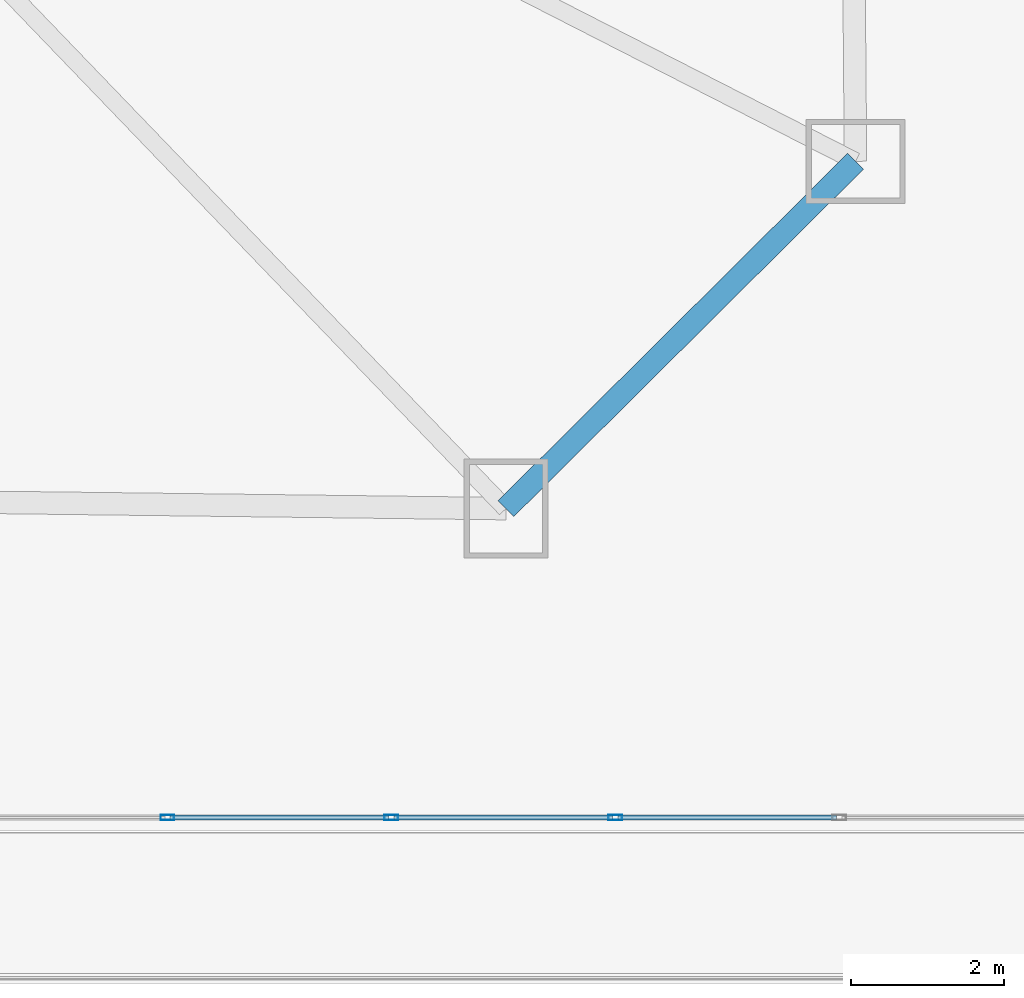
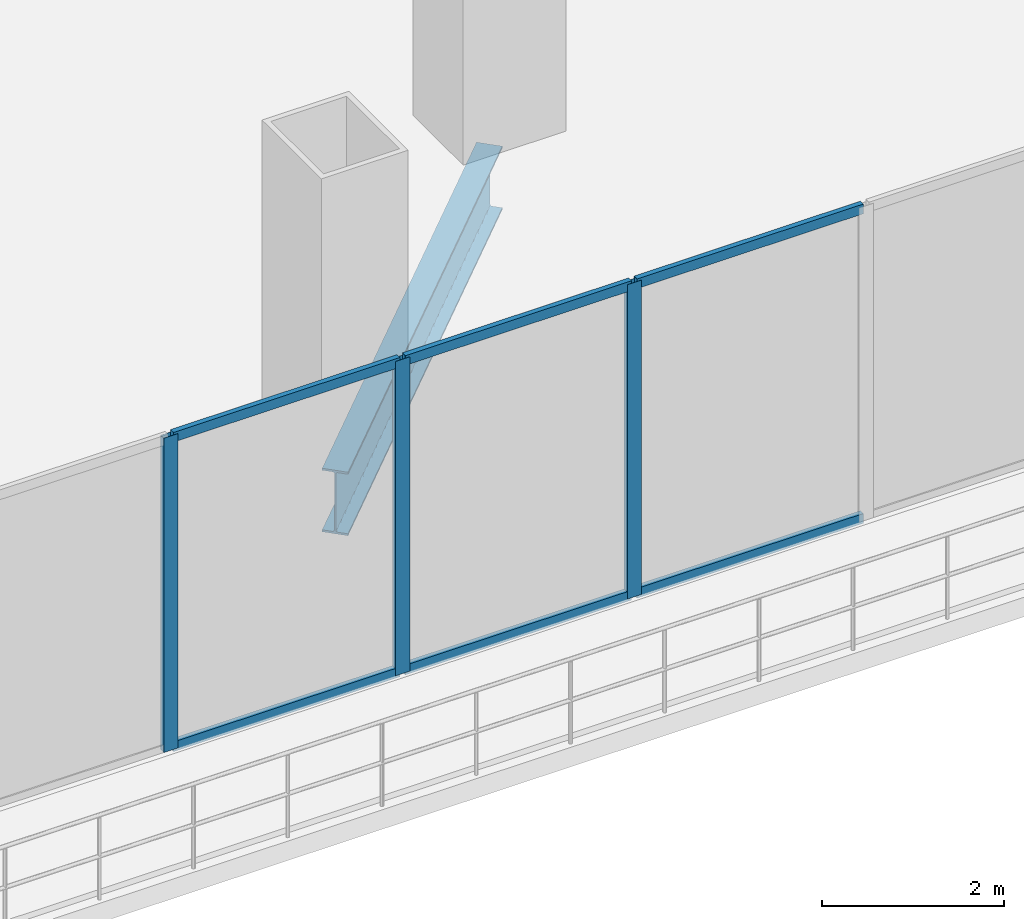
# One storey, part 10 of 31: 9 members, 1 beam, 1 element without a shape of its own.
"""IFC4 building model written with IfcOpenShell, lengths in metres."""

import ifcopenshell
import ifcopenshell.guid

model = None  # the IFC model being written
_history = None  # IfcOwnerHistory: only IFC2X3 demands one
_inside = {}  # id of a spatial element -> (the spatial element, [elements in it])
_under = {}  # id of a project, library or spatial element -> (it, [spatial elements below it])
_declared = {}  # id of a project -> (the project, [libraries it declares])
_typed = {}  # id of a type object -> (the type object, [elements of that type])
_made_of = {}  # id of a material, layer set ... -> (it, [elements and type objects made of it])


def new_model(schema):
    """Start an empty IFC model of exactly this schema.

    Asked for "IFC4X3", IfcOpenShell would pick the latest addendum, in which some entities
    have other attributes; the version numbers below select the first issue.
    IFC2X3 requires an IfcOwnerHistory on every rooted entity: one is made here for all.
    """
    global model, _history
    if schema == "IFC4X3":
        model = ifcopenshell.file(schema_version=(4, 3, 0, 0))
    else:
        model = ifcopenshell.file(schema=schema)
    _inside.clear()
    _under.clear()
    _declared.clear()
    _typed.clear()
    _made_of.clear()
    _history = None
    if model.schema == "IFC2X3":
        org = make("IfcOrganization", Name="unknown")
        user = make(
            "IfcPersonAndOrganization",
            ThePerson=make("IfcPerson", FamilyName="unknown"),
            TheOrganization=org,
        )
        app = make(
            "IfcApplication",
            ApplicationDeveloper=org,
            Version="unknown",
            ApplicationFullName="unknown",
            ApplicationIdentifier="unknown",
        )
        _history = make(
            "IfcOwnerHistory",
            OwningUser=user,
            OwningApplication=app,
            ChangeAction="ADDED",
            CreationDate=0,
        )
    return model


def make(cls, **values):
    """One entity of the class cls with the attributes given. An attribute that is None is left unset."""
    return model.create_entity(
        cls, **{name: value for name, value in values.items() if value is not None}
    )


def rooted(cls, **values):
    """An entity with a GlobalId (a new one), such as an element, a storey or a relation."""
    return make(cls, GlobalId=ifcopenshell.guid.new(), OwnerHistory=_history, **values)


def si_unit(unit_type, name, prefix=None):
    """IfcSIUnit, for example si_unit("LENGTHUNIT", "METRE", prefix="MILLI")."""
    return make("IfcSIUnit", UnitType=unit_type, Prefix=prefix, Name=name)


def assignment(units):
    """IfcUnitAssignment: the units of a project."""
    return None if units is None else make("IfcUnitAssignment", Units=units)


def point(xyz):
    """IfcCartesianPoint."""
    return None if xyz is None else make("IfcCartesianPoint", Coordinates=xyz)


def direction(xyz):
    """IfcDirection."""
    return None if xyz is None else make("IfcDirection", DirectionRatios=xyz)


def frame(location, z_axis=None, x_axis=None):
    """IfcAxis2Placement3D, a coordinate frame: its origin and axes. An axis left out is left unset."""
    return make(
        "IfcAxis2Placement3D",
        Location=point(location),
        Axis=direction(z_axis),
        RefDirection=direction(x_axis),
    )


def frame_2d(location, x_axis=None):
    """IfcAxis2Placement2D, a coordinate frame in the plane: its origin and x axis."""
    return make(
        "IfcAxis2Placement2D", Location=point(location), RefDirection=direction(x_axis)
    )


def origin():
    """The frame at (0, 0, 0) with its axes left unset."""
    return frame((0.0, 0.0, 0.0))


def origin_2d():
    """The frame at (0, 0) in the plane with its x axis left unset."""
    return frame_2d((0.0, 0.0))


def place(relative_to, where):
    """IfcLocalPlacement: puts the frame where relative to a parent placement (None: the world)."""
    return make(
        "IfcLocalPlacement", PlacementRelTo=relative_to, RelativePlacement=where
    )


def context(
    kind, dimensions, precision=None, world=None, true_north=None, identifier=None
):
    """IfcGeometricRepresentationContext, for example the 3D "Model" context."""
    return make(
        "IfcGeometricRepresentationContext",
        ContextIdentifier=identifier,
        ContextType=kind,
        CoordinateSpaceDimension=dimensions,
        Precision=precision,
        WorldCoordinateSystem=world,
        TrueNorth=true_north,
    )


def subcontext(parent, identifier, kind, view, scale=None):
    """IfcGeometricRepresentationSubContext, for example "Body" below "Model"."""
    return make(
        "IfcGeometricRepresentationSubContext",
        ContextIdentifier=identifier,
        ContextType=kind,
        ParentContext=parent,
        TargetScale=scale,
        TargetView=view,
    )


def project(units=None, contexts=None):
    """IfcProject with its units and contexts."""
    return rooted(
        "IfcProject",
        Name="project",
        RepresentationContexts=contexts,
        UnitsInContext=assignment(units),
    )


def spatial(cls, under=None, at=None, **own):
    """A site, building, storey or space (cls), placed at a placement, below another one or the project."""
    s = rooted(cls, ObjectPlacement=at, **own)
    if under is not None:
        _under.setdefault(under.id(), (under, []))[1].append(s)
    return s


def profile(cls, at=None, kind="AREA", **sizes):
    """A parametric profile (cls). Its sizes go by their IFC names, for example OverallWidth=200.0."""
    return make(cls, ProfileType=kind, Position=at, **sizes)


def hollow_rectangle(**sizes):
    """IfcRectangleHollowProfileDef."""
    return profile("IfcRectangleHollowProfileDef", **sizes)


def i_section(**sizes):
    """IfcIShapeProfileDef."""
    return profile("IfcIShapeProfileDef", **sizes)


def extrude(swept, where, along, depth):
    """IfcExtrudedAreaSolid: the profile swept, set in the frame where, extruded along a direction by depth."""
    return make(
        "IfcExtrudedAreaSolid",
        SweptArea=swept,
        Position=where,
        ExtrudedDirection=direction(along),
        Depth=depth,
    )


def shape(context_of_items, identifier, shape_type, items):
    """IfcShapeRepresentation: the items that make up one representation, for example the "Body"."""
    return make(
        "IfcShapeRepresentation",
        ContextOfItems=context_of_items,
        RepresentationIdentifier=identifier,
        RepresentationType=shape_type,
        Items=items,
    )


def material(Name=None, Category=None):
    """IfcMaterial."""
    return make("IfcMaterial", Name=Name, Category=Category)


def layer(
    of_material, thickness, ventilated=None, Name=None, Category=None, Priority=None
):
    """IfcMaterialLayer: one layer of a wall or slab, of a material (None: an air gap)."""
    return make(
        "IfcMaterialLayer",
        Material=of_material,
        LayerThickness=thickness,
        IsVentilated=ventilated,
        Name=Name,
        Category=Category,
        Priority=Priority,
    )


def layer_set(layers, Name=None):
    """IfcMaterialLayerSet."""
    return make("IfcMaterialLayerSet", MaterialLayers=layers, LayerSetName=Name)


def material_profile(
    of_material, cross_section, Name=None, Category=None, Priority=None
):
    """IfcMaterialProfile: a cross section and its material."""
    return make(
        "IfcMaterialProfile",
        Name=Name,
        Material=of_material,
        Profile=cross_section,
        Priority=Priority,
        Category=Category,
    )


def profile_set(profiles, Name=None, composite=None):
    """IfcMaterialProfileSet."""
    return make(
        "IfcMaterialProfileSet",
        Name=Name,
        MaterialProfiles=profiles,
        CompositeProfile=composite,
    )


def made_of(thing, what):
    """Note that an element or type object is made of a material, layer set ...; save() writes the relation."""
    if what is not None:
        _made_of.setdefault(what.id(), (what, []))[1].append(thing)
    return thing


def type_object(cls, material=None, **own):
    """A type object (cls), such as IfcWallType, which elements share."""
    return made_of(rooted(cls, **own), material)


def element(
    cls,
    number,
    at=None,
    inside=None,
    cuts=None,
    type_object=None,
    material=None,
    context=None,
    identifier="Body",
    shape_type=None,
    held_by="IfcProductDefinitionShape",
    body=None,
    shapes=None,
    **own,
):
    """One element of the class cls, such as IfcWall. Its Tag is "e" and its number.

    at: its placement. inside: the storey or other place that contains it. cuts: it is an
    opening in that element (IfcRelVoidsElement). A single representation is given by context,
    identifier, shape_type and body (its items); several are given by shapes. held_by: the class
    of the entity that holds the representations. save() writes the other relations.
    """
    e = rooted(cls, Tag="e%d" % number, ObjectPlacement=at, **own)
    if body is not None:
        shapes = [shape(context, identifier, shape_type, body)]
    if shapes is not None:
        e.Representation = make(held_by, Representations=shapes)
    if inside is not None:
        _inside.setdefault(inside.id(), (inside, []))[1].append(e)
    if cuts is not None:
        rooted(
            "IfcRelVoidsElement", RelatingBuildingElement=cuts, RelatedOpeningElement=e
        )
    if type_object is not None:
        _typed.setdefault(type_object.id(), (type_object, []))[1].append(e)
    return made_of(e, material)


def aggregate(whole, parts):
    """IfcRelAggregates: a whole, such as a stair, and the parts it consists of."""
    return rooted("IfcRelAggregates", RelatingObject=whole, RelatedObjects=parts)


def save(model, path):
    """Write the relations noted so far, then the file.

    IfcRelAggregates (storeys below a building ...), IfcRelContainedInSpatialStructure (elements
    in a storey), IfcRelDefinesByType, IfcRelAssociatesMaterial and IfcRelDeclares: one each for
    every whole, place, type object, material and project.
    """
    for whole, parts in _under.values():
        aggregate(whole, parts)
    for where, things in _inside.values():
        rooted(
            "IfcRelContainedInSpatialStructure",
            RelatedElements=things,
            RelatingStructure=where,
        )
    for kind, things in _typed.values():
        rooted("IfcRelDefinesByType", RelatedObjects=things, RelatingType=kind)
    for what, things in _made_of.values():
        rooted("IfcRelAssociatesMaterial", RelatedObjects=things, RelatingMaterial=what)
    for by, libraries in _declared.values():
        rooted("IfcRelDeclares", RelatingContext=by, RelatedDefinitions=libraries)
    model.write(path)


model = new_model("IFC4")

# Units and contexts
model_context = context("Model", 3, precision=1e-05, world=origin(), true_north=direction((0.0, 1.0)))
body_context = subcontext(model_context, "Body", "Model", "MODEL_VIEW")
ifc_project = project(units=[si_unit("LENGTHUNIT", "METRE"), si_unit("AREAUNIT", "SQUARE_METRE"), si_unit("VOLUMEUNIT", "CUBIC_METRE"), si_unit("PLANEANGLEUNIT", "RADIAN"), si_unit("MASSUNIT", "GRAM", prefix="KILO")], contexts=[model_context])

# Site, building, storey
site_placement = place(None, origin())
site = spatial("IfcSite", under=ifc_project, at=site_placement, CompositionType="ELEMENT")
building_placement = place(site_placement, origin())
building = spatial("IfcBuilding", under=site, at=building_placement, Name="Caelvoria Tower", CompositionType="ELEMENT")
storey_placement = place(building_placement, frame((0.0, 0.0, 9.5)))
storey = spatial("IfcBuildingStorey", under=building, at=storey_placement, Name="L02", CompositionType="ELEMENT", Elevation=9.5)

# Curtain wall, members
ifc_material_1 = material(Name="Anodised Bronze Aluminium and Low-E Glass", Category="aluminium")
ifc_layer = layer(ifc_material_1, 0.199951171875, Name="Anodised Bronze Aluminium and Low-E Glass")
ifc_layer_set = layer_set([ifc_layer], Name="CW System 1 Podium Arcade Unitised Glazing - Anodised Bronze Aluminium and Low-E Glass")
curtain_wall_type = type_object("IfcCurtainWallType", Name="CW System 1 Podium Arcade Unitised Glazing", PredefinedType="NOTDEFINED", material=ifc_layer_set)
curtain_wall_placement = place(storey_placement, origin())
curtain_wall = element("IfcCurtainWall", 1, at=curtain_wall_placement, inside=storey, type_object=curtain_wall_type, Name="CW-01 Curtain Wall L02-E0", PredefinedType="NOTDEFINED")
ifc_material_2 = material(Name="Anodised Bronze Architectural Aluminium", Category="aluminium")
ifc_material_profile_1 = material_profile(ifc_material_2, hollow_rectangle(XDim=0.070068359375, YDim=0.179931640625, WallThickness=0.00390625, at=origin_2d()), Name="Anodised Bronze Architectural Aluminium")
ifc_profile_set_1 = profile_set([ifc_material_profile_1], Name="CW_MULL_70X180 - Anodised Bronze Architectural Aluminium")
member_type_1 = type_object("IfcMemberType", Name="Curtain Wall Mullion 70x180 Bronze Aluminium", PredefinedType="MULLION", material=ifc_profile_set_1)
member_1_placement = place(storey_placement, frame((63.6181640625, 6.3798828125, 0.0), z_axis=(0.0, 0.0, 1.0), x_axis=(0.0, 1.0, 0.0)))
member_1 = element("IfcMember", 2, at=member_1_placement, type_object=member_type_1, Name="CW-01 mullion 18", PredefinedType="MULLION", context=body_context, shape_type="SweptSolid", body=[
    extrude(hollow_rectangle(XDim=0.070068359375, YDim=0.179931640625, WallThickness=0.00390625, at=origin_2d()), origin(), (0.0, 0.0, 1.0), 4.2099609375),
])
member_2_placement = place(storey_placement, frame((66.554443359375, 6.3798828125, 0.0), z_axis=(0.0, 0.0, 1.0), x_axis=(0.0, 1.0, 0.0)))
member_2 = element("IfcMember", 3, at=member_2_placement, type_object=member_type_1, Name="CW-01 mullion 19", PredefinedType="MULLION", context=body_context, shape_type="SweptSolid", body=[
    extrude(hollow_rectangle(XDim=0.070068359375, YDim=0.179931640625, WallThickness=0.00390625, at=origin_2d()), origin(), (0.0, 0.0, 1.0), 4.2099609375),
])
member_3_placement = place(storey_placement, frame((69.490966796875, 6.3798828125, 0.0), z_axis=(0.0, 0.0, 1.0), x_axis=(0.0, 1.0, 0.0)))
member_3 = element("IfcMember", 4, at=member_3_placement, type_object=member_type_1, Name="CW-01 mullion 20", PredefinedType="MULLION", context=body_context, shape_type="SweptSolid", body=[
    extrude(hollow_rectangle(XDim=0.070068359375, YDim=0.179931640625, WallThickness=0.00390625, at=origin_2d()), origin(), (0.0, 0.0, 1.0), 4.2099609375),
])
ifc_material_profile_2 = material_profile(ifc_material_2, hollow_rectangle(XDim=0.06494140625, YDim=0.1298828125, WallThickness=0.00341796875, at=origin_2d()), Name="Anodised Bronze Architectural Aluminium")
ifc_profile_set_2 = profile_set([ifc_material_profile_2], Name="CW_TRAN_65X130 - Anodised Bronze Architectural Aluminium")
member_type_2 = type_object("IfcMemberType", Name="Curtain Wall Transom 65x130 Bronze Aluminium", PredefinedType="USERDEFINED", material=ifc_profile_set_2)
member_4_placement = place(storey_placement, frame((63.653076171875, 6.3798828125, 0.032470703125), z_axis=(1.0, 0.0, 0.0), x_axis=(0.0, 1.0, 0.0)))
member_4 = element("IfcMember", 5, at=member_4_placement, type_object=member_type_2, Name="CW-01 transom 18.1", ObjectType="TRANSOM", PredefinedType="USERDEFINED", context=body_context, shape_type="SweptSolid", body=[
    extrude(hollow_rectangle(XDim=0.06494140625, YDim=0.1298828125, WallThickness=0.00341796875, at=origin_2d()), origin(), (0.0, 0.0, 1.0), 2.866455078125),
])
member_5_placement = place(storey_placement, frame((63.653076171875, 6.3798828125, 4.177490234375), z_axis=(1.0, 0.0, 0.0), x_axis=(0.0, 1.0, 0.0)))
member_5 = element("IfcMember", 6, at=member_5_placement, type_object=member_type_2, Name="CW-01 transom 18.2", ObjectType="TRANSOM", PredefinedType="USERDEFINED", context=body_context, shape_type="SweptSolid", body=[
    extrude(hollow_rectangle(XDim=0.06494140625, YDim=0.1298828125, WallThickness=0.00341796875, at=origin_2d()), origin(), (0.0, 0.0, 1.0), 2.866455078125),
])
member_6_placement = place(storey_placement, frame((66.589599609375, 6.3798828125, 0.032470703125), z_axis=(1.0, 0.0, 0.0), x_axis=(0.0, 1.0, 0.0)))
member_6 = element("IfcMember", 7, at=member_6_placement, type_object=member_type_2, Name="CW-01 transom 19.1", ObjectType="TRANSOM", PredefinedType="USERDEFINED", context=body_context, shape_type="SweptSolid", body=[
    extrude(hollow_rectangle(XDim=0.06494140625, YDim=0.1298828125, WallThickness=0.00341796875, at=origin_2d()), origin(), (0.0, 0.0, 1.0), 2.8662109375),
])
member_7_placement = place(storey_placement, frame((66.589599609375, 6.3798828125, 4.177490234375), z_axis=(1.0, 0.0, 0.0), x_axis=(0.0, 1.0, 0.0)))
member_7 = element("IfcMember", 8, at=member_7_placement, type_object=member_type_2, Name="CW-01 transom 19.2", ObjectType="TRANSOM", PredefinedType="USERDEFINED", context=body_context, shape_type="SweptSolid", body=[
    extrude(hollow_rectangle(XDim=0.06494140625, YDim=0.1298828125, WallThickness=0.00341796875, at=origin_2d()), origin(), (0.0, 0.0, 1.0), 2.8662109375),
])
member_8_placement = place(storey_placement, frame((69.52587890625, 6.3798828125, 0.032470703125), z_axis=(1.0, 0.0, 0.0), x_axis=(0.0, 1.0, 0.0)))
member_8 = element("IfcMember", 9, at=member_8_placement, type_object=member_type_2, Name="CW-01 transom 20.1", ObjectType="TRANSOM", PredefinedType="USERDEFINED", context=body_context, shape_type="SweptSolid", body=[
    extrude(hollow_rectangle(XDim=0.06494140625, YDim=0.1298828125, WallThickness=0.00341796875, at=origin_2d()), origin(), (0.0, 0.0, 1.0), 2.866455078125),
])
member_9_placement = place(storey_placement, frame((69.52587890625, 6.3798828125, 4.177490234375), z_axis=(1.0, 0.0, 0.0), x_axis=(0.0, 1.0, 0.0)))
member_9 = element("IfcMember", 10, at=member_9_placement, type_object=member_type_2, Name="CW-01 transom 20.2", ObjectType="TRANSOM", PredefinedType="USERDEFINED", context=body_context, shape_type="SweptSolid", body=[
    extrude(hollow_rectangle(XDim=0.06494140625, YDim=0.1298828125, WallThickness=0.00341796875, at=origin_2d()), origin(), (0.0, 0.0, 1.0), 2.866455078125),
])
aggregate(curtain_wall, [member_1, member_2, member_3, member_4, member_5, member_6, member_7, member_8, member_9])

# Beam
ifc_material_3 = material(Name="Structural Steel ASTM A992 Gr.50", Category="steel")
ifc_material_profile_3 = material_profile(ifc_material_3, i_section(OverallWidth=0.2939453125, OverallDepth=0.85107421875, WebThickness=0.01611328125, FlangeThickness=0.02685546875, FilletRadius=0.02197265625, at=origin_2d()), Name="Structural Steel ASTM A992 Gr.50")
ifc_profile_set_3 = profile_set([ifc_material_profile_3], Name="W840X226 - Structural Steel ASTM A992 Gr.50")
beam_type = type_object("IfcBeamType", Name="Podium Long-Span Girder W840X226", PredefinedType="BEAM", material=ifc_profile_set_3)
beam_placement = place(storey_placement, frame((68.056640625, 10.42919921875, -0.70556640625), z_axis=(0.709407278283, 0.704798775197, 0.0), x_axis=(-0.704798775197, 0.709407278283, 0.0)))
element("IfcBeam", 11, at=beam_placement, inside=storey, type_object=beam_type, Name="Perimeter Spandrel Girder L02-02", PredefinedType="BEAM", context=body_context, shape_type="SweptSolid", body=[
    extrude(i_section(OverallWidth=0.2939453125, OverallDepth=0.85107421875, WebThickness=0.01611328125, FlangeThickness=0.02685546875, FilletRadius=0.02197265625, at=origin_2d()), origin(), (0.0, 0.0, 1.0), 6.463134765625),
])

save(model, "model.ifc")
